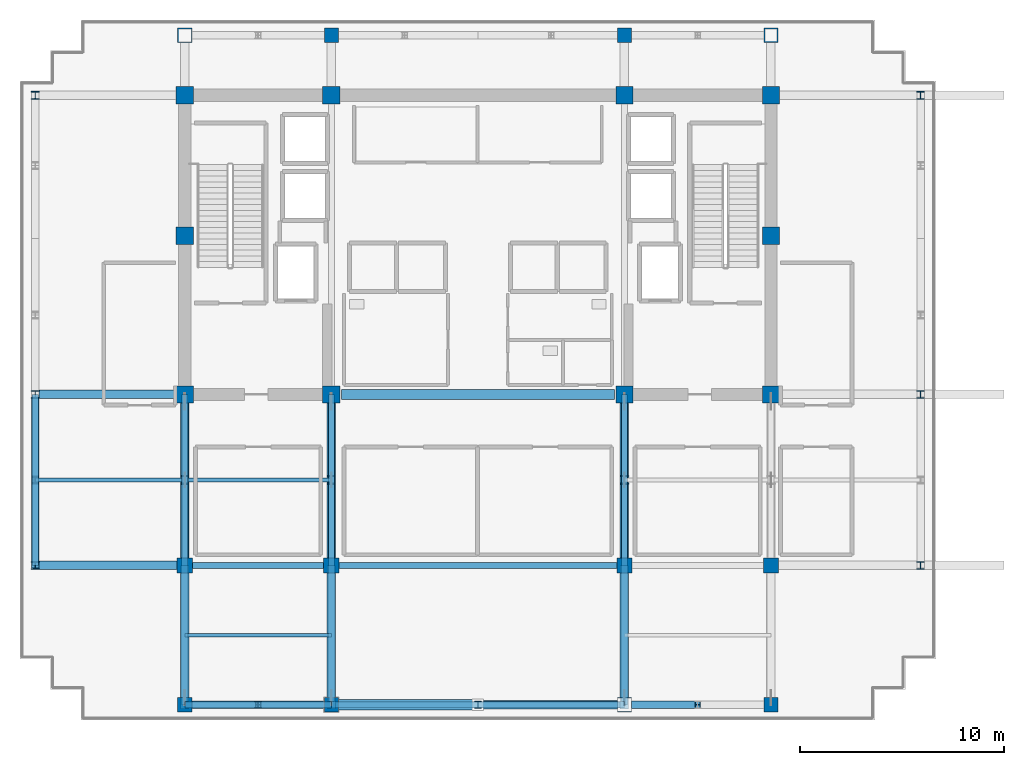
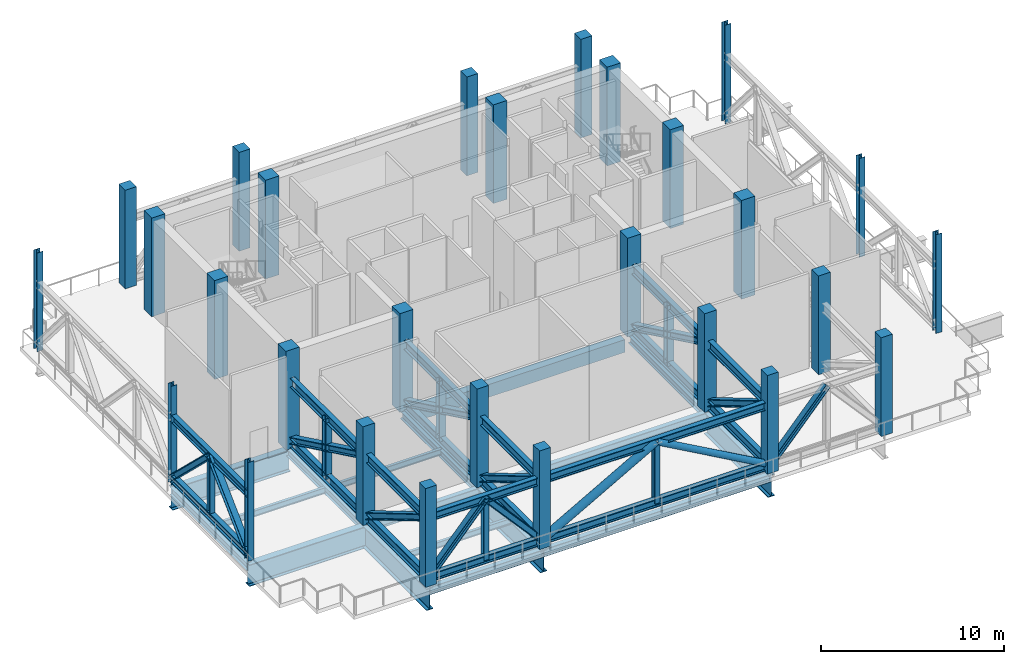
# One storey, part 1 of 11: 31 members, 28 columns, 17 beams.
"""IFC4 building model written with IfcOpenShell, lengths in metres."""

from ifc_helpers import new_model, si_unit, direction, frame, origin, origin_2d, place, context, subcontext, project, spatial, rectangle, hollow_circle, i_section, extrude, source, transform, mapped, material, material_profile, profile_set, type_object, element, save


model = new_model("IFC4")

# Units and contexts
model_context = context("Model", 3, precision=1e-05, world=origin(), true_north=direction((0.0, 1.0)))
body_context = subcontext(model_context, "Body", "Model", "MODEL_VIEW")
ifc_project = project(units=[si_unit("LENGTHUNIT", "METRE"), si_unit("AREAUNIT", "SQUARE_METRE"), si_unit("VOLUMEUNIT", "CUBIC_METRE"), si_unit("PLANEANGLEUNIT", "RADIAN"), si_unit("MASSUNIT", "GRAM", prefix="KILO")], contexts=[model_context])

# Site, building, storey
site_placement = place(None, origin())
site = spatial("IfcSite", under=ifc_project, at=site_placement, CompositionType="ELEMENT")
building_placement = place(site_placement, origin())
building = spatial("IfcBuilding", under=site, at=building_placement, Name="Zarnakvel Exchange Tower", CompositionType="ELEMENT")
storey_placement = place(building_placement, frame((0.0, 0.0, 199.0)))
storey = spatial("IfcBuildingStorey", under=building, at=storey_placement, Name="L56", CompositionType="ELEMENT", Elevation=199.0)

# Columns
ifc_material_1 = material(Name="Concrete C50/60", Category="concrete")
ifc_material_profile_1 = material_profile(ifc_material_1, rectangle(XDim=0.85009765625, YDim=0.85009765625, at=origin_2d()))
ifc_profile_set_1 = profile_set([ifc_material_profile_1], Name="Concrete C50/60")
column_type_1 = type_object("IfcColumnType", Name="CC-03", PredefinedType="COLUMN", material=ifc_profile_set_1)
for number, where, z_axis, x_axis, name in (
    (1, (-14.39990234375, -1.199951171875, 0.0), (0.0, 0.0, 1.0), (1.0, 0.0, 0.0), "L56 Column C-4D (CC-03)"),
    (2, (-7.199951171875, -1.199951171875, 0.0), (0.0, 0.0, 1.0), (1.0, 0.0, 0.0), "L56 Column C-5D (CC-03)"),
    (3, (7.199951171875, -1.199951171875, 0.0), (0.0, 0.0, 1.0), (1.0, 0.0, 0.0), "L56 Column C-8D (CC-03)"),
    (4, (14.39990234375, -1.199951171875, 0.0), (0.0, 0.0, 1.0), (1.0, 0.0, 0.0), "L56 Column C-9D (CC-03)"),
    (5, (-14.39990234375, 6.60009765625, 0.0), (0.0, 0.0, 1.0), (1.0, 0.0, 0.0), "L56 Column C-4E (CC-03)"),
    (6, (14.39990234375, 6.60009765625, 0.0), (0.0, 0.0, 1.0), (1.0, 0.0, 0.0), "L56 Column C-9E (CC-03)"),
    (7, (-14.39990234375, 13.5, 0.0), (0.0, 0.0, 1.0), (1.0, 0.0, 0.0), "L56 Column C-4F (CC-03)"),
    (8, (-7.199951171875, 13.5, 0.0), (0.0, 0.0, 1.0), (1.0, 0.0, 0.0), "L56 Column C-5F (CC-03)"),
    (9, (7.199951171875, 13.5, 0.0), (0.0, 0.0, 1.0), (1.0, 0.0, 0.0), "L56 Column C-8F (CC-03)"),
    (10, (14.39990234375, 13.5, 0.0), (0.0, 0.0, 1.0), (1.0, 0.0, 0.0), "L56 Column C-9F (CC-03)"),
):
    element("IfcColumn", number, at=place(storey_placement, frame(where, z_axis=z_axis, x_axis=x_axis)), inside=storey, type_object=column_type_1, Name=name, PredefinedType="COLUMN", context=body_context, shape_type="SweptSolid", body=[
        extrude(rectangle(XDim=0.85009765625, YDim=0.85009765625, at=origin_2d()), origin(), (0.0, 0.0, 1.0), 6.60009765625),
    ])
ifc_material_2 = material(Name="Steel S355", Category="steel")
ifc_material_profile_2 = material_profile(ifc_material_2, i_section(OverallWidth=0.374755859375, OverallDepth=0.37451171875, WebThickness=0.0166015625, FlangeThickness=0.027099609375, FilletRadius=0.01513671875, at=origin_2d()))
ifc_profile_set_2 = profile_set([ifc_material_profile_2], Name="Steel S355")
column_type_2 = type_object("IfcColumnType", Name="SC-05", PredefinedType="COLUMN", material=ifc_profile_set_2)
for number, where, z_axis, x_axis, name in (
    (11, (-21.75, -9.60009765625, 0.0), (0.0, 0.0, 1.0), (1.0, 0.0, 0.0), "L56 Column TW-C (SC-05)"),
    (12, (21.75, -9.60009765625, 0.0), (0.0, 0.0, 1.0), (1.0, 0.0, 0.0), "L56 Column TE-C (SC-05)"),
    (13, (-21.75, -1.199951171875, 0.0), (0.0, 0.0, 1.0), (1.0, 0.0, 0.0), "L56 Column TW-D (SC-05)"),
    (14, (21.75, -1.199951171875, 0.0), (0.0, 0.0, 1.0), (1.0, 0.0, 0.0), "L56 Column TE-D (SC-05)"),
    (15, (-21.75, 13.5, 0.0), (0.0, 0.0, 1.0), (1.0, 0.0, 0.0), "L56 Column TW-F (SC-05)"),
    (16, (21.75, 13.5, 0.0), (0.0, 0.0, 1.0), (1.0, 0.0, 0.0), "L56 Column TE-F (SC-05)"),
):
    element("IfcColumn", number, at=place(storey_placement, frame(where, z_axis=z_axis, x_axis=x_axis)), inside=storey, type_object=column_type_2, Name=name, PredefinedType="COLUMN", context=body_context, shape_type="SweptSolid", body=[
        extrude(i_section(OverallWidth=0.374755859375, OverallDepth=0.37451171875, WebThickness=0.0166015625, FlangeThickness=0.027099609375, FilletRadius=0.01513671875, at=origin_2d()), origin(), (0.0, 0.0, 1.0), 6.60009765625),
    ])
ifc_material_profile_3 = material_profile(ifc_material_1, rectangle(XDim=0.75, YDim=0.75, at=origin_2d()))
ifc_profile_set_3 = profile_set([ifc_material_profile_3], Name="Concrete C50/60")
column_type_3 = type_object("IfcColumnType", Name="TC-04", PredefinedType="COLUMN", material=ifc_profile_set_3)
for number, where, z_axis, x_axis, name in (
    (17, (-14.39990234375, -9.60009765625, 0.0), (0.0, 0.0, 1.0), (1.0, 0.0, 0.0), "L56 Column T-4C (TC-04)"),
    (18, (-7.199951171875, -9.60009765625, 0.0), (0.0, 0.0, 1.0), (1.0, 0.0, 0.0), "L56 Column T-5C (TC-04)"),
    (19, (7.199951171875, -9.60009765625, 0.0), (0.0, 0.0, 1.0), (1.0, 0.0, 0.0), "L56 Column T-8C (TC-04)"),
    (20, (14.39990234375, -9.60009765625, 0.0), (0.0, 0.0, 1.0), (1.0, 0.0, 0.0), "L56 Column T-9C (TC-04)"),
):
    element("IfcColumn", number, at=place(storey_placement, frame(where, z_axis=z_axis, x_axis=x_axis)), inside=storey, type_object=column_type_3, Name=name, PredefinedType="COLUMN", context=body_context, shape_type="SweptSolid", body=[
        extrude(rectangle(XDim=0.75, YDim=0.75, at=origin_2d()), origin(), (0.0, 0.0, 1.0), 6.60009765625),
    ])
ifc_material_profile_4 = material_profile(ifc_material_1, rectangle(XDim=0.699951171875, YDim=0.699951171875, at=origin_2d()))
ifc_profile_set_4 = profile_set([ifc_material_profile_4], Name="Concrete C50/60")
column_type_4 = type_object("IfcColumnType", Name="TC-05", PredefinedType="COLUMN", material=ifc_profile_set_4)
for number, where, z_axis, x_axis, name in (
    (21, (-14.39990234375, -16.449951171875, 0.0), (0.0, 0.0, 1.0), (1.0, 0.0, 0.0), "L56 Column TS-4 (TC-05)"),
    (22, (-14.39990234375, 16.449951171875, 0.0), (0.0, 0.0, 1.0), (1.0, 0.0, 0.0), "L56 Column TN-4 (TC-05)"),
    (23, (-7.199951171875, -16.449951171875, 0.0), (0.0, 0.0, 1.0), (1.0, 0.0, 0.0), "L56 Column TS-5 (TC-05)"),
    (24, (-7.199951171875, 16.449951171875, 0.0), (0.0, 0.0, 1.0), (1.0, 0.0, 0.0), "L56 Column TN-5 (TC-05)"),
    (25, (7.199951171875, -16.449951171875, 0.0), (0.0, 0.0, 1.0), (1.0, 0.0, 0.0), "L56 Column TS-8 (TC-05)"),
    (26, (7.199951171875, 16.449951171875, 0.0), (0.0, 0.0, 1.0), (1.0, 0.0, 0.0), "L56 Column TN-8 (TC-05)"),
    (27, (14.39990234375, -16.449951171875, 0.0), (0.0, 0.0, 1.0), (1.0, 0.0, 0.0), "L56 Column TS-9 (TC-05)"),
    (28, (14.39990234375, 16.449951171875, 0.0), (0.0, 0.0, 1.0), (1.0, 0.0, 0.0), "L56 Column TN-9 (TC-05)"),
):
    element("IfcColumn", number, at=place(storey_placement, frame(where, z_axis=z_axis, x_axis=x_axis)), inside=storey, type_object=column_type_4, Name=name, PredefinedType="COLUMN", context=body_context, shape_type="SweptSolid", body=[
        extrude(rectangle(XDim=0.699951171875, YDim=0.699951171875, at=origin_2d()), origin(), (0.0, 0.0, 1.0), 6.60009765625),
    ])

# Beams
ifc_material_profile_5 = material_profile(ifc_material_2, i_section(OverallWidth=0.179931640625, OverallDepth=0.39990234375, WebThickness=0.008544921875, FlangeThickness=0.013427734375, FilletRadius=0.02099609375, at=origin_2d()))
ifc_profile_set_5 = profile_set([ifc_material_profile_5], Name="Steel S355")
beam_type_1 = type_object("IfcBeamType", Name="B-06", PredefinedType="JOIST", material=ifc_profile_set_5)
for number, where, z_axis, x_axis, name in (
    (29, (-14.39990234375, -13.02490234375, -0.449951171875), (1.0, 0.0, 0.0), (0.0, 1.0, 0.0), "L56 Composite Floor Secondary Joist"),
    (30, (-21.75, -5.39990234375, -0.449951171875), (1.0, 0.0, 0.0), (0.0, 1.0, 0.0), "L56 Composite Floor Secondary Joist"),
):
    element("IfcBeam", number, at=place(storey_placement, frame(where, z_axis=z_axis, x_axis=x_axis)), inside=storey, type_object=beam_type_1, Name=name, PredefinedType="JOIST", context=body_context, shape_type="SweptSolid", body=[
        extrude(i_section(OverallWidth=0.179931640625, OverallDepth=0.39990234375, WebThickness=0.008544921875, FlangeThickness=0.013427734375, FilletRadius=0.02099609375, at=origin_2d()), origin(), (0.0, 0.0, 1.0), 7.199951171875),
    ])
beam_1_placement = place(storey_placement, frame((-14.25, -5.39990234375, -0.449951171875), z_axis=(1.0, 0.0, 0.0), x_axis=(0.0, 1.0, 0.0)))
element("IfcBeam", 31, at=beam_1_placement, inside=storey, type_object=beam_type_1, Name="L56 Composite Floor Secondary Joist", PredefinedType="JOIST", context=body_context, shape_type="SweptSolid", body=[
    extrude(i_section(OverallWidth=0.179931640625, OverallDepth=0.39990234375, WebThickness=0.008544921875, FlangeThickness=0.013427734375, FilletRadius=0.02099609375, at=origin_2d()), origin(), (0.0, 0.0, 1.0), 7.050048828125),
])
ifc_material_3 = material(Name="Concrete C60/75", Category="concrete")
ifc_material_profile_6 = material_profile(ifc_material_3, rectangle(XDim=0.5, YDim=0.85009765625, at=origin_2d()))
ifc_profile_set_6 = profile_set([ifc_material_profile_6], Name="Concrete C60/75")
beam_type_2 = type_object("IfcBeamType", Name="CB-02", PredefinedType="LINTEL", material=ifc_profile_set_6)
beam_2_placement = place(storey_placement, frame((-6.699951171875, -1.199951171875, -0.675048828125), z_axis=(1.0, 0.0, 0.0), x_axis=(0.0, 1.0, 0.0)))
element("IfcBeam", 32, at=beam_2_placement, inside=storey, type_object=beam_type_2, Name="L56 Rear Core South Coupling Beam (CB-02)", PredefinedType="LINTEL", context=body_context, shape_type="SweptSolid", body=[
    extrude(rectangle(XDim=0.5, YDim=0.85009765625, at=origin_2d()), origin(), (0.0, 0.0, 1.0), 13.39990234375),
])
ifc_material_profile_7 = material_profile(ifc_material_2, i_section(OverallWidth=0.300048828125, OverallDepth=0.5, WebThickness=0.014404296875, FlangeThickness=0.028076171875, FilletRadius=0.027099609375, at=origin_2d()))
ifc_profile_set_7 = profile_set([ifc_material_profile_7], Name="Steel S355")
beam_type_3 = type_object("IfcBeamType", Name="G-06", PredefinedType="BEAM", material=ifc_profile_set_7)
beam_3_placement = place(storey_placement, frame((-14.39990234375, -9.60009765625, -0.5), z_axis=(1.0, 0.0, 0.0), x_axis=(0.0, 1.0, 0.0)))
element("IfcBeam", 33, at=beam_3_placement, inside=storey, type_object=beam_type_3, Name="L56 Tower E-W Frame Beam", PredefinedType="BEAM", context=body_context, shape_type="SweptSolid", body=[
    extrude(i_section(OverallWidth=0.300048828125, OverallDepth=0.5, WebThickness=0.014404296875, FlangeThickness=0.028076171875, FilletRadius=0.027099609375, at=origin_2d()), origin(), (0.0, 0.0, 1.0), 7.199951171875),
])
beam_4_placement = place(storey_placement, frame((-7.199951171875, -9.60009765625, -0.5), z_axis=(1.0, 0.0, 0.0), x_axis=(0.0, 1.0, 0.0)))
element("IfcBeam", 34, at=beam_4_placement, inside=storey, type_object=beam_type_3, Name="L56 Tower E-W Frame Beam", PredefinedType="BEAM", context=body_context, shape_type="SweptSolid", body=[
    extrude(i_section(OverallWidth=0.300048828125, OverallDepth=0.5, WebThickness=0.014404296875, FlangeThickness=0.028076171875, FilletRadius=0.027099609375, at=origin_2d()), origin(), (0.0, 0.0, 1.0), 14.39990234375),
])
for number, where, z_axis, x_axis, name in (
    (35, (-14.39990234375, -9.60009765625, -0.5), (0.0, 1.0, 0.0), (-1.0, 0.0, 0.0), "L56 Tower N-S Frame Beam"),
    (36, (-7.199951171875, -9.60009765625, -0.5), (0.0, 1.0, 0.0), (-1.0, 0.0, 0.0), "L56 Tower N-S Frame Beam"),
    (37, (7.199951171875, -9.60009765625, -0.5), (0.0, 1.0, 0.0), (-1.0, 0.0, 0.0), "L56 Tower N-S Frame Beam"),
):
    element("IfcBeam", number, at=place(storey_placement, frame(where, z_axis=z_axis, x_axis=x_axis)), inside=storey, type_object=beam_type_3, Name=name, PredefinedType="BEAM", context=body_context, shape_type="SweptSolid", body=[
        extrude(i_section(OverallWidth=0.300048828125, OverallDepth=0.5, WebThickness=0.014404296875, FlangeThickness=0.028076171875, FilletRadius=0.027099609375, at=origin_2d()), origin(), (0.0, 0.0, 1.0), 8.400146484375),
    ])
ifc_material_profile_8 = material_profile(ifc_material_2, i_section(OverallWidth=0.300048828125, OverallDepth=0.5, WebThickness=0.014404296875, FlangeThickness=0.028076171875, FilletRadius=0.027099609375, at=origin_2d()))
ifc_profile_set_8 = profile_set([ifc_material_profile_8], Name="Steel S355")
beam_type_4 = type_object("IfcBeamType", Name="SP-02", PredefinedType="SPANDREL", material=ifc_profile_set_8)
beam_5_placement = place(storey_placement, frame((-14.39990234375, -16.449951171875, -0.5), z_axis=(1.0, 0.0, 0.0), x_axis=(0.0, 1.0, 0.0)))
element("IfcBeam", 38, at=beam_5_placement, inside=storey, type_object=beam_type_4, Name="L56 Tower E-W Frame Beam", PredefinedType="SPANDREL", context=body_context, shape_type="SweptSolid", body=[
    extrude(i_section(OverallWidth=0.300048828125, OverallDepth=0.5, WebThickness=0.014404296875, FlangeThickness=0.028076171875, FilletRadius=0.027099609375, at=origin_2d()), origin(), (0.0, 0.0, 1.0), 7.199951171875),
])
beam_6_placement = place(storey_placement, frame((-7.199951171875, -16.449951171875, -0.5), z_axis=(1.0, 0.0, 0.0), x_axis=(0.0, 1.0, 0.0)))
element("IfcBeam", 39, at=beam_6_placement, inside=storey, type_object=beam_type_4, Name="L56 Tower E-W Frame Beam", PredefinedType="SPANDREL", context=body_context, shape_type="SweptSolid", body=[
    extrude(i_section(OverallWidth=0.300048828125, OverallDepth=0.5, WebThickness=0.014404296875, FlangeThickness=0.028076171875, FilletRadius=0.027099609375, at=origin_2d()), origin(), (0.0, 0.0, 1.0), 14.39990234375),
])
beam_7_placement = place(storey_placement, frame((-21.75, -9.60009765625, -0.5), z_axis=(0.0, 1.0, 0.0), x_axis=(-1.0, 0.0, 0.0)))
element("IfcBeam", 40, at=beam_7_placement, inside=storey, type_object=beam_type_4, Name="L56 Tower N-S Frame Beam", PredefinedType="SPANDREL", context=body_context, shape_type="SweptSolid", body=[
    extrude(i_section(OverallWidth=0.300048828125, OverallDepth=0.5, WebThickness=0.014404296875, FlangeThickness=0.028076171875, FilletRadius=0.027099609375, at=origin_2d()), origin(), (0.0, 0.0, 1.0), 8.400146484375),
])
ifc_material_4 = material(Name="Steel S460", Category="steel")
ifc_material_profile_9 = material_profile(ifc_material_4, i_section(OverallWidth=0.419921875, OverallDepth=1.449951171875, WebThickness=0.02392578125, FlangeThickness=0.0400390625, FilletRadius=0.030029296875, at=origin_2d()))
ifc_profile_set_9 = profile_set([ifc_material_profile_9], Name="Steel S460")
beam_type_5 = type_object("IfcBeamType", Name="TG-01", PredefinedType="BEAM", material=ifc_profile_set_9)
for number, where, z_axis, x_axis, name in (
    (41, (-14.39990234375, -16.64990234375, -0.97509765625), (0.0, 1.0, 0.0), (-1.0, 0.0, 0.0), "L56 Setback N-S Transfer Girder TS-4"),
    (42, (-7.199951171875, -16.64990234375, -0.97509765625), (0.0, 1.0, 0.0), (-1.0, 0.0, 0.0), "L56 Setback N-S Transfer Girder TS-5"),
    (43, (7.199951171875, -16.64990234375, -0.97509765625), (0.0, 1.0, 0.0), (-1.0, 0.0, 0.0), "L56 Setback N-S Transfer Girder TS-8"),
):
    element("IfcBeam", number, at=place(storey_placement, frame(where, z_axis=z_axis, x_axis=x_axis)), inside=storey, type_object=beam_type_5, Name=name, PredefinedType="BEAM", context=body_context, shape_type="SweptSolid", body=[
        extrude(i_section(OverallWidth=0.419921875, OverallDepth=1.449951171875, WebThickness=0.02392578125, FlangeThickness=0.0400390625, FilletRadius=0.030029296875, at=origin_2d()), origin(), (0.0, 0.0, 1.0), 7.0498046875),
    ])
for number, where, z_axis, x_axis, name in (
    (44, (-21.85009765625, -9.60009765625, -0.97509765625), (1.0, 0.0, 0.0), (0.0, 1.0, 0.0), "L56 Setback E-W Transfer Girder TW-C"),
    (45, (-21.85009765625, -1.199951171875, -0.97509765625), (1.0, 0.0, 0.0), (0.0, 1.0, 0.0), "L56 Setback E-W Transfer Girder TW-D"),
):
    element("IfcBeam", number, at=place(storey_placement, frame(where, z_axis=z_axis, x_axis=x_axis)), inside=storey, type_object=beam_type_5, Name=name, PredefinedType="BEAM", context=body_context, shape_type="SweptSolid", body=[
        extrude(i_section(OverallWidth=0.419921875, OverallDepth=1.449951171875, WebThickness=0.02392578125, FlangeThickness=0.0400390625, FilletRadius=0.030029296875, at=origin_2d()), origin(), (0.0, 0.0, 1.0), 7.4501953125),
    ])

# Members
ifc_material_profile_10 = material_profile(ifc_material_4, i_section(OverallWidth=0.412109375, OverallDepth=0.425048828125, WebThickness=0.02587890625, FlangeThickness=0.0390625, FilletRadius=0.014892578125, at=origin_2d()))
ifc_profile_set_10 = profile_set([ifc_material_profile_10], Name="Steel S460")
member_type_1 = type_object("IfcMemberType", Name="OT-01", PredefinedType="BRACE", material=ifc_profile_set_10)
shared_shape_1 = source(origin(), body_context, "Body", "SweptSolid", [
    extrude(i_section(OverallWidth=0.412109375, OverallDepth=0.425048828125, WebThickness=0.02587890625, FlangeThickness=0.0390625, FilletRadius=0.014892578125, at=origin_2d()), origin(), (0.0, 0.0, 1.0), 9.325439453125),
])
for number, where, z_axis, x_axis, name in (
    (46, (-14.39990234375, -1.199951171875, 0.35009765625), (0.0, -0.900779837263, 0.43427604675), (1.0, 0.0, 0.0), "L56 Outrigger Inner Diagonal 1 Grid 4"),
    (47, (-7.199951171875, -1.199951171875, 0.35009765625), (0.0, -0.900779837263, 0.43427604675), (1.0, 0.0, 0.0), "L56 Outrigger Inner Diagonal 1 Grid 5"),
    (48, (7.199951171875, -1.199951171875, 0.35009765625), (0.0, -0.900779837263, 0.43427604675), (1.0, 0.0, 0.0), "L56 Outrigger Inner Diagonal 1 Grid 8"),
):
    element("IfcMember", number, at=place(storey_placement, frame(where, z_axis=z_axis, x_axis=x_axis)), inside=storey, type_object=member_type_1, Name=name, PredefinedType="BRACE", context=body_context, shape_type="MappedRepresentation", body=[
        mapped(shared_shape_1, transform((0.0, 0.0, 0.0), x_axis=(1.0, 0.0, 0.0), y_axis=(0.0, 1.0, 0.0), z_axis=(0.0, 0.0, 1.0), scale=1.0)),
    ])
ifc_material_profile_11 = material_profile(ifc_material_2, i_section(OverallWidth=0.305908203125, OverallDepth=0.52392578125, WebThickness=0.02099609375, FlangeThickness=0.0400390625, FilletRadius=0.027099609375, at=origin_2d()))
ifc_profile_set_11 = profile_set([ifc_material_profile_11], Name="Steel S355")
member_type_2 = type_object("IfcMemberType", Name="BT-02", PredefinedType="CHORD", material=ifc_profile_set_11)
shared_shape_2 = source(origin(), body_context, "Body", "SweptSolid", [
    extrude(i_section(OverallWidth=0.305908203125, OverallDepth=0.52392578125, WebThickness=0.02099609375, FlangeThickness=0.0400390625, FilletRadius=0.027099609375, at=origin_2d()), origin(), (0.0, 0.0, 1.0), 7.199951171875),
])
for number, where, z_axis, x_axis, name in (
    (49, (-14.39990234375, -16.449951171875, 0.35009765625), (1.0, 0.0, 0.0), (0.0, 1.0, 0.0), "L56 Belt Truss Bottom Chord S-W1"),
    (50, (-14.39990234375, -16.449951171875, 4.39990234375), (1.0, 0.0, 0.0), (0.0, 1.0, 0.0), "L56 Belt Truss Top Chord S-W1"),
):
    element("IfcMember", number, at=place(storey_placement, frame(where, z_axis=z_axis, x_axis=x_axis)), inside=storey, type_object=member_type_2, Name=name, PredefinedType="CHORD", context=body_context, shape_type="MappedRepresentation", body=[
        mapped(shared_shape_2, transform((0.0, 0.0, 0.0), x_axis=(1.0, 0.0, 0.0), y_axis=(0.0, 1.0, 0.0), z_axis=(0.0, 0.0, 1.0), scale=1.0)),
    ])
ifc_material_profile_12 = material_profile(ifc_material_2, i_section(OverallWidth=0.3740234375, OverallDepth=0.364013671875, WebThickness=0.01806640625, FlangeThickness=0.027587890625, FilletRadius=0.014892578125, at=origin_2d()))
ifc_profile_set_12 = profile_set([ifc_material_profile_12], Name="Steel S355")
member_type_3 = type_object("IfcMemberType", Name="BT-01", PredefinedType="BRACE", material=ifc_profile_set_12)
shared_shape_3 = source(origin(), body_context, "Body", "SweptSolid", [
    extrude(i_section(OverallWidth=0.3740234375, OverallDepth=0.364013671875, WebThickness=0.01806640625, FlangeThickness=0.027587890625, FilletRadius=0.014892578125, at=origin_2d()), origin(), (0.0, 0.0, 1.0), 5.418701171875),
])
for number, where, z_axis, x_axis, name in (
    (51, (-7.199951171875, -16.449951171875, 0.35009765625), (-0.664391803991, 0.0, 0.747384459826), (0.0, -1.0, 0.0), "L56 Belt Truss Chevron Right S-W1"),
    (52, (7.199951171875, -16.449951171875, 0.35009765625), (0.664391803991, 0.0, 0.747384459826), (0.0, 1.0, 0.0), "L56 Belt Truss Chevron Left S-E1"),
):
    element("IfcMember", number, at=place(storey_placement, frame(where, z_axis=z_axis, x_axis=x_axis)), inside=storey, type_object=member_type_3, Name=name, PredefinedType="BRACE", context=body_context, shape_type="MappedRepresentation", body=[
        mapped(shared_shape_3, transform((0.0, 0.0, 0.0), x_axis=(1.0, 0.0, 0.0), y_axis=(0.0, 1.0, 0.0), z_axis=(0.0, 0.0, 1.0), scale=1.0)),
    ])
shared_shape_4 = source(origin(), body_context, "Body", "SweptSolid", [
    extrude(i_section(OverallWidth=0.305908203125, OverallDepth=0.52392578125, WebThickness=0.02099609375, FlangeThickness=0.0400390625, FilletRadius=0.027099609375, at=origin_2d()), origin(), (0.0, 0.0, 1.0), 8.400146484375),
])
for number, where, z_axis, x_axis, name in (
    (53, (-21.75, -9.60009765625, 0.35009765625), (0.0, 1.0, 0.0), (-1.0, 0.0, 0.0), "L56 Belt Truss Bottom Chord W-1"),
    (54, (-21.75, -9.60009765625, 4.39990234375), (0.0, 1.0, 0.0), (-1.0, 0.0, 0.0), "L56 Belt Truss Top Chord W-1"),
):
    element("IfcMember", number, at=place(storey_placement, frame(where, z_axis=z_axis, x_axis=x_axis)), inside=storey, type_object=member_type_2, Name=name, PredefinedType="CHORD", context=body_context, shape_type="MappedRepresentation", body=[
        mapped(shared_shape_4, transform((0.0, 0.0, 0.0), x_axis=(1.0, 0.0, 0.0), y_axis=(0.0, 1.0, 0.0), z_axis=(0.0, 0.0, 1.0), scale=1.0)),
    ])
shared_shape_5 = source(origin(), body_context, "Body", "SweptSolid", [
    extrude(i_section(OverallWidth=0.3740234375, OverallDepth=0.364013671875, WebThickness=0.01806640625, FlangeThickness=0.027587890625, FilletRadius=0.014892578125, at=origin_2d()), origin(), (0.0, 0.0, 1.0), 5.834716796875),
])
member_1_placement = place(storey_placement, frame((-21.75, -9.60009765625, 0.35009765625), z_axis=(0.0, 0.719877149992, 0.694101497563), x_axis=(-1.0, 0.0, 0.0)))
element("IfcMember", 55, at=member_1_placement, inside=storey, type_object=member_type_3, Name="L56 Belt Truss Chevron Left W-1", PredefinedType="BRACE", context=body_context, shape_type="MappedRepresentation", body=[
    mapped(shared_shape_5, transform((0.0, 0.0, 0.0), x_axis=(1.0, 0.0, 0.0), y_axis=(0.0, 1.0, 0.0), z_axis=(0.0, 0.0, 1.0), scale=1.0)),
])
shared_shape_6 = source(origin(), body_context, "Body", "SweptSolid", [
    extrude(i_section(OverallWidth=0.3740234375, OverallDepth=0.364013671875, WebThickness=0.01806640625, FlangeThickness=0.027587890625, FilletRadius=0.014892578125, at=origin_2d()), origin(), (0.0, 0.0, 1.0), 5.83447265625),
])
member_2_placement = place(storey_placement, frame((-21.75, -1.199951171875, 0.35009765625), z_axis=(0.0, -0.719856989806, 0.694122405796), x_axis=(1.0, 0.0, 0.0)))
element("IfcMember", 56, at=member_2_placement, inside=storey, type_object=member_type_3, Name="L56 Belt Truss Chevron Right W-1", PredefinedType="BRACE", context=body_context, shape_type="MappedRepresentation", body=[
    mapped(shared_shape_6, transform((0.0, 0.0, 0.0), x_axis=(1.0, 0.0, 0.0), y_axis=(0.0, 1.0, 0.0), z_axis=(0.0, 0.0, 1.0), scale=1.0)),
])
shared_shape_7 = source(origin(), body_context, "Body", "SweptSolid", [
    extrude(i_section(OverallWidth=0.305908203125, OverallDepth=0.52392578125, WebThickness=0.02099609375, FlangeThickness=0.0400390625, FilletRadius=0.027099609375, at=origin_2d()), origin(), (0.0, 0.0, 1.0), 14.39990234375),
])
for number, where, z_axis, x_axis, name in (
    (57, (-7.199951171875, -16.449951171875, 0.35009765625), (1.0, 0.0, 0.0), (0.0, 1.0, 0.0), "L56 Portal Bridge Bottom Chord"),
    (58, (-7.199951171875, -16.449951171875, 4.39990234375), (1.0, 0.0, 0.0), (0.0, 1.0, 0.0), "L56 Portal Bridge Top Chord"),
):
    element("IfcMember", number, at=place(storey_placement, frame(where, z_axis=z_axis, x_axis=x_axis)), inside=storey, type_object=member_type_2, Name=name, PredefinedType="CHORD", context=body_context, shape_type="MappedRepresentation", body=[
        mapped(shared_shape_7, transform((0.0, 0.0, 0.0), x_axis=(1.0, 0.0, 0.0), y_axis=(0.0, 1.0, 0.0), z_axis=(0.0, 0.0, 1.0), scale=1.0)),
    ])
ifc_material_profile_13 = material_profile(ifc_material_4, i_section(OverallWidth=0.304931640625, OverallDepth=0.6201171875, WebThickness=0.02099609375, FlangeThickness=0.0400390625, FilletRadius=0.027099609375, at=origin_2d()))
ifc_profile_set_13 = profile_set([ifc_material_profile_13], Name="Steel S460")
member_type_4 = type_object("IfcMemberType", Name="OT-02", PredefinedType="CHORD", material=ifc_profile_set_13)
shared_shape_8 = source(origin(), body_context, "Body", "SweptSolid", [
    extrude(i_section(OverallWidth=0.304931640625, OverallDepth=0.6201171875, WebThickness=0.02099609375, FlangeThickness=0.0400390625, FilletRadius=0.027099609375, at=origin_2d()), origin(), (0.0, 0.0, 1.0), 15.25),
])
for number, where, z_axis, x_axis, name in (
    (59, (-14.39990234375, -16.449951171875, 0.35009765625), (0.0, 1.0, 0.0), (-1.0, 0.0, 0.0), "L56 Outrigger Bottom Chord Grid 4"),
    (60, (-14.39990234375, -16.449951171875, 4.39990234375), (0.0, 1.0, 0.0), (-1.0, 0.0, 0.0), "L56 Outrigger Top Chord Grid 4"),
    (61, (-7.199951171875, -16.449951171875, 0.35009765625), (0.0, 1.0, 0.0), (-1.0, 0.0, 0.0), "L56 Outrigger Bottom Chord Grid 5"),
    (62, (-7.199951171875, -16.449951171875, 4.39990234375), (0.0, 1.0, 0.0), (-1.0, 0.0, 0.0), "L56 Outrigger Top Chord Grid 5"),
    (63, (7.199951171875, -16.449951171875, 0.35009765625), (0.0, 1.0, 0.0), (-1.0, 0.0, 0.0), "L56 Outrigger Bottom Chord Grid 8"),
    (64, (7.199951171875, -16.449951171875, 4.39990234375), (0.0, 1.0, 0.0), (-1.0, 0.0, 0.0), "L56 Outrigger Top Chord Grid 8"),
):
    element("IfcMember", number, at=place(storey_placement, frame(where, z_axis=z_axis, x_axis=x_axis)), inside=storey, type_object=member_type_4, Name=name, PredefinedType="CHORD", context=body_context, shape_type="MappedRepresentation", body=[
        mapped(shared_shape_8, transform((0.0, 0.0, 0.0), x_axis=(1.0, 0.0, 0.0), y_axis=(0.0, 1.0, 0.0), z_axis=(0.0, 0.0, 1.0), scale=1.0)),
    ])
ifc_material_profile_14 = material_profile(ifc_material_4, i_section(OverallWidth=0.404052734375, OverallDepth=0.406982421875, WebThickness=0.0224609375, FlangeThickness=0.031982421875, FilletRadius=0.014892578125, at=origin_2d()))
ifc_profile_set_14 = profile_set([ifc_material_profile_14], Name="Steel S460")
member_type_5 = type_object("IfcMemberType", Name="OT-03", PredefinedType="STRUT", material=ifc_profile_set_14)
shared_shape_9 = source(origin(), body_context, "Body", "SweptSolid", [
    extrude(i_section(OverallWidth=0.404052734375, OverallDepth=0.406982421875, WebThickness=0.0224609375, FlangeThickness=0.031982421875, FilletRadius=0.014892578125, at=origin_2d()), origin(), (0.0, 0.0, 1.0), 4.0498046875),
])
for number, where, z_axis, x_axis, name in (
    (65, (-14.39990234375, -5.39990234375, 0.35009765625), (0.0, 0.0, 1.0), (1.0, 0.0, 0.0), "L56 Outrigger Web Post Grid 4"),
    (66, (-7.199951171875, -5.39990234375, 0.35009765625), (0.0, 0.0, 1.0), (1.0, 0.0, 0.0), "L56 Outrigger Web Post Grid 5"),
    (67, (7.199951171875, -5.39990234375, 0.35009765625), (0.0, 0.0, 1.0), (1.0, 0.0, 0.0), "L56 Outrigger Web Post Grid 8"),
):
    element("IfcMember", number, at=place(storey_placement, frame(where, z_axis=z_axis, x_axis=x_axis)), inside=storey, type_object=member_type_5, Name=name, PredefinedType="STRUT", context=body_context, shape_type="MappedRepresentation", body=[
        mapped(shared_shape_9, transform((0.0, 0.0, 0.0), x_axis=(1.0, 0.0, 0.0), y_axis=(0.0, 1.0, 0.0), z_axis=(0.0, 0.0, 1.0), scale=1.0)),
    ])
shared_shape_10 = source(origin(), body_context, "Body", "SweptSolid", [
    extrude(i_section(OverallWidth=0.412109375, OverallDepth=0.425048828125, WebThickness=0.02587890625, FlangeThickness=0.0390625, FilletRadius=0.014892578125, at=origin_2d()), origin(), (0.0, 0.0, 1.0), 7.95751953125),
])
for number, where, z_axis, x_axis, name in (
    (68, (-14.39990234375, -9.60009765625, 0.35009765625), (0.0, -0.860807399743, 0.508930860282), (1.0, 0.0, 0.0), "L56 Outrigger Outer Diagonal 2 Grid 4"),
    (69, (-7.199951171875, -9.60009765625, 0.35009765625), (0.0, -0.860807399743, 0.508930860282), (1.0, 0.0, 0.0), "L56 Outrigger Outer Diagonal 2 Grid 5"),
    (70, (7.199951171875, -9.60009765625, 0.35009765625), (0.0, -0.860807399743, 0.508930860282), (1.0, 0.0, 0.0), "L56 Outrigger Outer Diagonal 2 Grid 8"),
):
    element("IfcMember", number, at=place(storey_placement, frame(where, z_axis=z_axis, x_axis=x_axis)), inside=storey, type_object=member_type_1, Name=name, PredefinedType="BRACE", context=body_context, shape_type="MappedRepresentation", body=[
        mapped(shared_shape_10, transform((0.0, 0.0, 0.0), x_axis=(1.0, 0.0, 0.0), y_axis=(0.0, 1.0, 0.0), z_axis=(0.0, 0.0, 1.0), scale=1.0)),
    ])
ifc_material_profile_15 = material_profile(ifc_material_2, i_section(OverallWidth=0.30908203125, OverallDepth=0.35888671875, WebThickness=0.02099609375, FlangeThickness=0.033935546875, FilletRadius=0.014892578125, at=origin_2d()))
ifc_profile_set_15 = profile_set([ifc_material_profile_15], Name="Steel S355")
member_type_6 = type_object("IfcMemberType", Name="BT-03", PredefinedType="STRUT", material=ifc_profile_set_15)
shared_shape_11 = source(origin(), body_context, "Body", "SweptSolid", [
    extrude(i_section(OverallWidth=0.30908203125, OverallDepth=0.35888671875, WebThickness=0.02099609375, FlangeThickness=0.033935546875, FilletRadius=0.014892578125, at=origin_2d()), origin(), (0.0, 0.0, 1.0), 4.0498046875),
])
for number, where, z_axis, x_axis, name in (
    (71, (-10.800048828125, -16.449951171875, 0.35009765625), (0.0, 0.0, 1.0), (1.0, 0.0, 0.0), "L56 Belt Truss Vertical Post S-W1"),
    (72, (-21.75, -5.39990234375, 0.35009765625), (0.0, 0.0, 1.0), (1.0, 0.0, 0.0), "L56 Belt Truss Vertical Post W-1"),
    (73, (0.0, -16.449951171875, 0.35009765625), (0.0, 0.0, 1.0), (1.0, 0.0, 0.0), "L56 Portal Bridge Center Post"),
):
    element("IfcMember", number, at=place(storey_placement, frame(where, z_axis=z_axis, x_axis=x_axis)), inside=storey, type_object=member_type_6, Name=name, PredefinedType="STRUT", context=body_context, shape_type="MappedRepresentation", body=[
        mapped(shared_shape_11, transform((0.0, 0.0, 0.0), x_axis=(1.0, 0.0, 0.0), y_axis=(0.0, 1.0, 0.0), z_axis=(0.0, 0.0, 1.0), scale=1.0)),
    ])
shared_shape_12 = source(origin(), body_context, "Body", "SweptSolid", [
    extrude(i_section(OverallWidth=0.3740234375, OverallDepth=0.364013671875, WebThickness=0.01806640625, FlangeThickness=0.027587890625, FilletRadius=0.014892578125, at=origin_2d()), origin(), (0.0, 0.0, 1.0), 5.41845703125),
])
member_3_placement = place(storey_placement, frame((-14.39990234375, -16.449951171875, 0.35009765625), z_axis=(0.664366635472, 0.0, 0.747406832771), x_axis=(0.0, 1.0, 0.0)))
element("IfcMember", 74, at=member_3_placement, inside=storey, type_object=member_type_3, Name="L56 Belt Truss Chevron Left S-W1", PredefinedType="BRACE", context=body_context, shape_type="MappedRepresentation", body=[
    mapped(shared_shape_12, transform((0.0, 0.0, 0.0), x_axis=(1.0, 0.0, 0.0), y_axis=(0.0, 1.0, 0.0), z_axis=(0.0, 0.0, 1.0), scale=1.0)),
])
ifc_material_profile_16 = material_profile(ifc_material_2, hollow_circle(Radius=0.25390625, WallThickness=0.02490234375, at=origin_2d()))
ifc_profile_set_16 = profile_set([ifc_material_profile_16], Name="Steel S355")
member_type_7 = type_object("IfcMemberType", Name="VT-01", PredefinedType="BRACE", material=ifc_profile_set_16)
shared_shape_13 = source(origin(), body_context, "Body", "SweptSolid", [
    extrude(hollow_circle(Radius=0.25390625, WallThickness=0.02490234375, at=origin_2d()), origin(), (0.0, 0.0, 1.0), 8.2607421875),
])
member_4_placement = place(storey_placement, frame((-7.199951171875, -16.449951171875, 0.35009765625), z_axis=(0.871584219095, 0.0, 0.490245804698), x_axis=(0.0, 1.0, 0.0)))
element("IfcMember", 75, at=member_4_placement, inside=storey, type_object=member_type_7, Name="L56 Portal Bridge Diagonal VT-01", PredefinedType="BRACE", context=body_context, shape_type="MappedRepresentation", body=[
    mapped(shared_shape_13, transform((0.0, 0.0, 0.0), x_axis=(1.0, 0.0, 0.0), y_axis=(0.0, 1.0, 0.0), z_axis=(0.0, 0.0, 1.0), scale=1.0)),
])
ifc_material_profile_17 = material_profile(ifc_material_2, hollow_circle(Radius=0.203125, WallThickness=0.02001953125, at=origin_2d()))
ifc_profile_set_17 = profile_set([ifc_material_profile_17], Name="Steel S355")
member_type_8 = type_object("IfcMemberType", Name="VT-02", PredefinedType="BRACE", material=ifc_profile_set_17)
shared_shape_14 = source(origin(), body_context, "Body", "SweptSolid", [
    extrude(hollow_circle(Radius=0.203125, WallThickness=0.02001953125, at=origin_2d()), origin(), (0.0, 0.0, 1.0), 8.2607421875),
])
member_5_placement = place(storey_placement, frame((7.199951171875, -16.449951171875, 0.35009765625), z_axis=(-0.871584219095, 0.0, 0.490245804698), x_axis=(0.0, -1.0, 0.0)))
element("IfcMember", 76, at=member_5_placement, inside=storey, type_object=member_type_8, Name="L56 Portal Bridge Diagonal VT-02", PredefinedType="BRACE", context=body_context, shape_type="MappedRepresentation", body=[
    mapped(shared_shape_14, transform((0.0, 0.0, 0.0), x_axis=(1.0, 0.0, 0.0), y_axis=(0.0, 1.0, 0.0), z_axis=(0.0, 0.0, 1.0), scale=1.0)),
])

save(model, "model.ifc")
